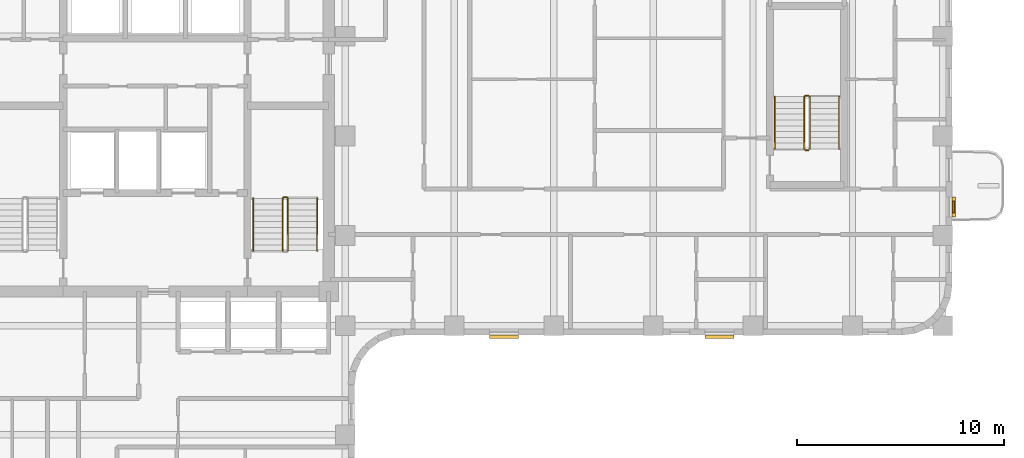
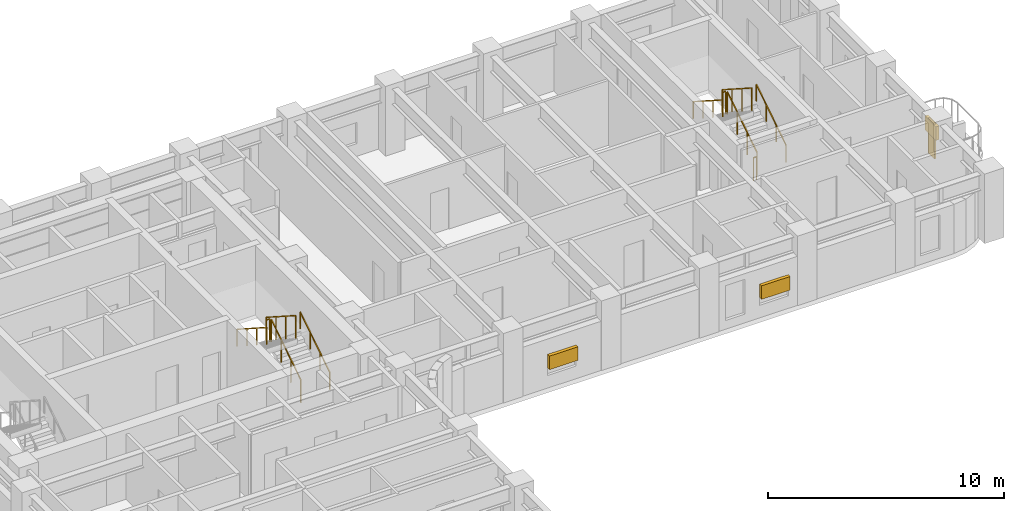
# One storey, part 9 of 10: 11 railings, 4 shading devices.
"""IFC4 building model written with IfcOpenShell, lengths in metres."""

from ifc_helpers import new_model, si_unit, direction, frame, origin, origin_2d, place, context, subcontext, project, spatial, rectangle, extrude, material, type_object, element, save


model = new_model("IFC4")

# Units and contexts
model_context = context("Model", 3, precision=1e-05, world=origin(), true_north=direction((0.0, 1.0)))
body_context = subcontext(model_context, "Body", "Model", "MODEL_VIEW")
ifc_project = project(units=[si_unit("LENGTHUNIT", "METRE"), si_unit("AREAUNIT", "SQUARE_METRE"), si_unit("VOLUMEUNIT", "CUBIC_METRE"), si_unit("PLANEANGLEUNIT", "RADIAN"), si_unit("MASSUNIT", "GRAM", prefix="KILO")], contexts=[model_context])

# Site, building, storey
site_placement = place(None, origin())
site = spatial("IfcSite", under=ifc_project, at=site_placement, CompositionType="ELEMENT")
building_placement = place(site_placement, origin())
building = spatial("IfcBuilding", under=site, at=building_placement, Name="Orvandelia Arch Residences", CompositionType="ELEMENT")
storey_placement = place(building_placement, frame((0.0, 0.0, 121.60009765625)))
storey = spatial("IfcBuildingStorey", under=building, at=storey_placement, Name="L31", CompositionType="ELEMENT", Elevation=121.60009765625)

# Railings
ifc_material_1 = material(Name="Brushed Stainless Steel 304", Category="steel")
railing_type_1 = type_object("IfcRailingType", Name="RL-STAIR-GD1120", PredefinedType="GUARDRAIL", material=ifc_material_1)
railing_1_placement = place(storey_placement, frame((20.780029296875, 32.8701171875, 0.179931640625)))
element("IfcRailing", 1, at=railing_1_placement, inside=storey, type_object=railing_type_1, Name="L31 ST-2 stair guard 1", PredefinedType="GUARDRAIL", context=body_context, shape_type="SweptSolid", body=[
    extrude(rectangle(XDim=0.048095703125, YDim=0.048095703125, at=origin_2d()), frame((0.0, 0.0, 1.17578125), z_axis=(0.0, 0.841175827307, 0.540761710511), x_axis=(-1.0, 0.0, 0.0)), (0.0, 0.0, 1.0), 2.99560546875),
    extrude(rectangle(XDim=0.0419921875, YDim=0.0419921875, at=origin_2d()), origin(), (0.0, 0.0, 1.0), 1.15185546875),
    extrude(rectangle(XDim=0.0419921875, YDim=0.0419921875, at=origin_2d()), frame((0.0, 0.83984375, 0.5400390625)), (0.0, 0.0, 1.0), 1.15185546875),
    extrude(rectangle(XDim=0.0419921875, YDim=0.0419921875, at=origin_2d()), frame((0.0, 1.679931640625, 1.079833984375)), (0.0, 0.0, 1.0), 1.15185546875),
    extrude(rectangle(XDim=0.0419921875, YDim=0.0419921875, at=origin_2d()), frame((0.0, 2.519775390625, 1.619873046875)), (0.0, 0.0, 1.0), 1.15185546875),
])
railing_2_placement = place(storey_placement, frame((20.72998046875, 35.43994140625, 1.7998046875)))
element("IfcRailing", 2, at=railing_2_placement, inside=storey, type_object=railing_type_1, Name="L31 ST-2 stair guard 2", PredefinedType="GUARDRAIL", context=body_context, shape_type="SweptSolid", body=[
    extrude(rectangle(XDim=0.048095703125, YDim=0.048095703125, at=origin_2d()), frame((0.0, 0.0, 1.17578125), z_axis=(-1.0, 0.0, 0.0), x_axis=(0.0, -1.0, 0.0)), (0.0, 0.0, 1.0), 0.14990234375),
    extrude(rectangle(XDim=0.0419921875, YDim=0.0419921875, at=origin_2d()), origin(), (0.0, 0.0, 1.0), 1.15185546875),
    extrude(rectangle(XDim=0.0419921875, YDim=0.0419921875, at=origin_2d()), frame((-0.14990234375, 0.0, 0.0)), (0.0, 0.0, 1.0), 1.15185546875),
])
railing_3_placement = place(storey_placement, frame((20.530029296875, 35.389892578125, 1.97998046875)))
element("IfcRailing", 3, at=railing_3_placement, inside=storey, type_object=railing_type_1, Name="L31 ST-2 stair guard 3", PredefinedType="GUARDRAIL", context=body_context, shape_type="SweptSolid", body=[
    extrude(rectangle(XDim=0.048095703125, YDim=0.048095703125, at=origin_2d()), frame((0.0, 0.0, 1.17578125), z_axis=(0.0, -0.841175827307, 0.540761710511), x_axis=(1.0, 0.0, 0.0)), (0.0, 0.0, 1.0), 2.99560546875),
    extrude(rectangle(XDim=0.0419921875, YDim=0.0419921875, at=origin_2d()), origin(), (0.0, 0.0, 1.0), 1.15185546875),
    extrude(rectangle(XDim=0.0419921875, YDim=0.0419921875, at=origin_2d()), frame((0.0, -0.83984375, 0.5400390625)), (0.0, 0.0, 1.0), 1.15185546875),
    extrude(rectangle(XDim=0.0419921875, YDim=0.0419921875, at=origin_2d()), frame((0.0, -1.679931640625, 1.079833984375)), (0.0, 0.0, 1.0), 1.15185546875),
    extrude(rectangle(XDim=0.0419921875, YDim=0.0419921875, at=origin_2d()), frame((0.0, -2.519775390625, 1.619873046875)), (0.0, 0.0, 1.0), 1.15185546875),
])
railing_4_placement = place(storey_placement, frame((45.929931640625, 37.77001953125, 0.179931640625)))
element("IfcRailing", 4, at=railing_4_placement, inside=storey, type_object=railing_type_1, Name="L31 ST-3 stair guard 1", PredefinedType="GUARDRAIL", context=body_context, shape_type="SweptSolid", body=[
    extrude(rectangle(XDim=0.048095703125, YDim=0.048095703125, at=origin_2d()), frame((0.0, 0.0, 1.17578125), z_axis=(0.0, 0.841199657755, 0.540724639528), x_axis=(-1.0, 0.0, 0.0)), (0.0, 0.0, 1.0), 2.995849609375),
    extrude(rectangle(XDim=0.0419921875, YDim=0.0419921875, at=origin_2d()), origin(), (0.0, 0.0, 1.0), 1.15185546875),
    extrude(rectangle(XDim=0.0419921875, YDim=0.0419921875, at=origin_2d()), frame((0.0, 0.840087890625, 0.5400390625)), (0.0, 0.0, 1.0), 1.15185546875),
    extrude(rectangle(XDim=0.0419921875, YDim=0.0419921875, at=origin_2d()), frame((0.0, 1.679931640625, 1.079833984375)), (0.0, 0.0, 1.0), 1.15185546875),
    extrude(rectangle(XDim=0.0419921875, YDim=0.0419921875, at=origin_2d()), frame((0.0, 2.52001953125, 1.619873046875)), (0.0, 0.0, 1.0), 1.15185546875),
])
railing_5_placement = place(storey_placement, frame((45.8798828125, 40.340087890625, 1.7998046875)))
element("IfcRailing", 5, at=railing_5_placement, inside=storey, type_object=railing_type_1, Name="L31 ST-3 stair guard 2", PredefinedType="GUARDRAIL", context=body_context, shape_type="SweptSolid", body=[
    extrude(rectangle(XDim=0.048095703125, YDim=0.048095703125, at=origin_2d()), frame((0.0, 0.0, 1.17578125), z_axis=(-1.0, 0.0, 0.0), x_axis=(0.0, -1.0, 0.0)), (0.0, 0.0, 1.0), 0.14990234375),
    extrude(rectangle(XDim=0.0419921875, YDim=0.0419921875, at=origin_2d()), origin(), (0.0, 0.0, 1.0), 1.15185546875),
    extrude(rectangle(XDim=0.0419921875, YDim=0.0419921875, at=origin_2d()), frame((-0.14990234375, 0.0, 0.0)), (0.0, 0.0, 1.0), 1.15185546875),
])
railing_6_placement = place(storey_placement, frame((45.679931640625, 40.2900390625, 1.97998046875)))
element("IfcRailing", 6, at=railing_6_placement, inside=storey, type_object=railing_type_1, Name="L31 ST-3 stair guard 3", PredefinedType="GUARDRAIL", context=body_context, shape_type="SweptSolid", body=[
    extrude(rectangle(XDim=0.048095703125, YDim=0.048095703125, at=origin_2d()), frame((0.0, 0.0, 1.17578125), z_axis=(0.0, -0.841199657755, 0.540724639528), x_axis=(1.0, 0.0, 0.0)), (0.0, 0.0, 1.0), 2.995849609375),
    extrude(rectangle(XDim=0.0419921875, YDim=0.0419921875, at=origin_2d()), origin(), (0.0, 0.0, 1.0), 1.15185546875),
    extrude(rectangle(XDim=0.0419921875, YDim=0.0419921875, at=origin_2d()), frame((0.0, -0.840087890625, 0.5400390625)), (0.0, 0.0, 1.0), 1.15185546875),
    extrude(rectangle(XDim=0.0419921875, YDim=0.0419921875, at=origin_2d()), frame((0.0, -1.679931640625, 1.079833984375)), (0.0, 0.0, 1.0), 1.15185546875),
    extrude(rectangle(XDim=0.0419921875, YDim=0.0419921875, at=origin_2d()), frame((0.0, -2.52001953125, 1.619873046875)), (0.0, 0.0, 1.0), 1.15185546875),
])
railing_7_placement = place(storey_placement, frame((45.8798828125, 37.719970703125, 0.0)))
element("IfcRailing", 7, at=railing_7_placement, inside=storey, type_object=railing_type_1, Name="L31 ST-3 stair guard 4", PredefinedType="GUARDRAIL", context=body_context, shape_type="SweptSolid", body=[
    extrude(rectangle(XDim=0.048095703125, YDim=0.048095703125, at=origin_2d()), frame((0.0, 0.0, 1.17578125), z_axis=(-1.0, 0.0, 0.0), x_axis=(0.0, -1.0, 0.0)), (0.0, 0.0, 1.0), 0.14990234375),
    extrude(rectangle(XDim=0.0419921875, YDim=0.0419921875, at=origin_2d()), origin(), (0.0, 0.0, 1.0), 1.15185546875),
    extrude(rectangle(XDim=0.0419921875, YDim=0.0419921875, at=origin_2d()), frame((-0.14990234375, 0.0, 0.0)), (0.0, 0.0, 1.0), 1.15185546875),
])
railing_type_2 = type_object("IfcRailingType", Name="RL-STAIR-HR920", PredefinedType="HANDRAIL", material=ifc_material_1)
railing_8_placement = place(storey_placement, frame((22.199951171875, 32.8701171875, 0.35986328125)))
element("IfcRailing", 8, at=railing_8_placement, inside=storey, type_object=railing_type_2, Name="L31 ST-2 stair handrail 1", PredefinedType="HANDRAIL", context=body_context, shape_type="SweptSolid", body=[
    extrude(rectangle(XDim=0.048095703125, YDim=0.048095703125, at=origin_2d()), frame((0.0, 0.0, 0.8759765625), z_axis=(0.0, 0.841138753965, 0.540819375188), x_axis=(-1.0, 0.0, 0.0)), (0.0, 0.0, 1.0), 2.99560546875),
    extrude(rectangle(XDim=0.0419921875, YDim=0.0419921875, at=origin_2d()), origin(), (0.0, 0.0, 1.0), 0.851806640625),
    extrude(rectangle(XDim=0.0419921875, YDim=0.0419921875, at=origin_2d()), frame((0.0, 0.83984375, 0.5400390625)), (0.0, 0.0, 1.0), 0.851806640625),
    extrude(rectangle(XDim=0.0419921875, YDim=0.0419921875, at=origin_2d()), frame((0.0, 1.679931640625, 1.080078125)), (0.0, 0.0, 1.0), 0.851806640625),
    extrude(rectangle(XDim=0.0419921875, YDim=0.0419921875, at=origin_2d()), frame((0.0, 2.519775390625, 1.6201171875)), (0.0, 0.0, 1.0), 0.851806640625),
])
railing_9_placement = place(storey_placement, frame((19.110107421875, 35.389892578125, 2.159912109375)))
element("IfcRailing", 9, at=railing_9_placement, inside=storey, type_object=railing_type_2, Name="L31 ST-2 stair handrail 2", PredefinedType="HANDRAIL", context=body_context, shape_type="SweptSolid", body=[
    extrude(rectangle(XDim=0.048095703125, YDim=0.048095703125, at=origin_2d()), frame((0.0, 0.0, 0.8759765625), z_axis=(0.0, -0.841175827307, 0.540761710511), x_axis=(1.0, 0.0, 0.0)), (0.0, 0.0, 1.0), 2.99560546875),
    extrude(rectangle(XDim=0.0419921875, YDim=0.0419921875, at=origin_2d()), origin(), (0.0, 0.0, 1.0), 0.851806640625),
    extrude(rectangle(XDim=0.0419921875, YDim=0.0419921875, at=origin_2d()), frame((0.0, -0.83984375, 0.5400390625)), (0.0, 0.0, 1.0), 0.851806640625),
    extrude(rectangle(XDim=0.0419921875, YDim=0.0419921875, at=origin_2d()), frame((0.0, -1.679931640625, 1.079833984375)), (0.0, 0.0, 1.0), 0.851806640625),
    extrude(rectangle(XDim=0.0419921875, YDim=0.0419921875, at=origin_2d()), frame((0.0, -2.519775390625, 1.619873046875)), (0.0, 0.0, 1.0), 0.851806640625),
])
railing_10_placement = place(storey_placement, frame((47.35009765625, 37.77001953125, 0.35986328125)))
element("IfcRailing", 10, at=railing_10_placement, inside=storey, type_object=railing_type_2, Name="L31 ST-3 stair handrail 1", PredefinedType="HANDRAIL", context=body_context, shape_type="SweptSolid", body=[
    extrude(rectangle(XDim=0.048095703125, YDim=0.048095703125, at=origin_2d()), frame((0.0, 0.0, 0.8759765625), z_axis=(0.0, 0.841162588446, 0.540782303519), x_axis=(-1.0, 0.0, 0.0)), (0.0, 0.0, 1.0), 2.995849609375),
    extrude(rectangle(XDim=0.0419921875, YDim=0.0419921875, at=origin_2d()), origin(), (0.0, 0.0, 1.0), 0.851806640625),
    extrude(rectangle(XDim=0.0419921875, YDim=0.0419921875, at=origin_2d()), frame((0.0, 0.840087890625, 0.5400390625)), (0.0, 0.0, 1.0), 0.851806640625),
    extrude(rectangle(XDim=0.0419921875, YDim=0.0419921875, at=origin_2d()), frame((0.0, 1.679931640625, 1.080078125)), (0.0, 0.0, 1.0), 0.851806640625),
    extrude(rectangle(XDim=0.0419921875, YDim=0.0419921875, at=origin_2d()), frame((0.0, 2.52001953125, 1.6201171875)), (0.0, 0.0, 1.0), 0.851806640625),
])
railing_11_placement = place(storey_placement, frame((44.260009765625, 40.2900390625, 2.159912109375)))
element("IfcRailing", 11, at=railing_11_placement, inside=storey, type_object=railing_type_2, Name="L31 ST-3 stair handrail 2", PredefinedType="HANDRAIL", context=body_context, shape_type="SweptSolid", body=[
    extrude(rectangle(XDim=0.048095703125, YDim=0.048095703125, at=origin_2d()), frame((0.0, 0.0, 0.8759765625), z_axis=(0.0, -0.841199657755, 0.540724639528), x_axis=(1.0, 0.0, 0.0)), (0.0, 0.0, 1.0), 2.995849609375),
    extrude(rectangle(XDim=0.0419921875, YDim=0.0419921875, at=origin_2d()), origin(), (0.0, 0.0, 1.0), 0.851806640625),
    extrude(rectangle(XDim=0.0419921875, YDim=0.0419921875, at=origin_2d()), frame((0.0, -0.840087890625, 0.5400390625)), (0.0, 0.0, 1.0), 0.851806640625),
    extrude(rectangle(XDim=0.0419921875, YDim=0.0419921875, at=origin_2d()), frame((0.0, -1.679931640625, 1.079833984375)), (0.0, 0.0, 1.0), 0.851806640625),
    extrude(rectangle(XDim=0.0419921875, YDim=0.0419921875, at=origin_2d()), frame((0.0, -2.52001953125, 1.619873046875)), (0.0, 0.0, 1.0), 0.851806640625),
])

# Shading devices
ifc_material_2 = material(Name="Anodised Champagne-Bronze Extruded Aluminium", Category="aluminium")
shading_device_type_1 = type_object("IfcShadingDeviceType", Name="SHD-JALOUSIE-SCREEN", PredefinedType="JALOUSIE", material=ifc_material_2)
shading_device_1_placement = place(storey_placement, frame((52.8798828125, 34.972412109375, 1.5498046875), z_axis=(0.0, 0.0, 1.0), x_axis=(0.0, -1.0, 0.0)))
element("IfcShadingDevice", 12, at=shading_device_1_placement, inside=storey, type_object=shading_device_type_1, Name="Bronze Jalousie Sun-Shade L31-003", PredefinedType="JALOUSIE", context=body_context, shape_type="SweptSolid", body=[
    extrude(rectangle(XDim=0.949951171875, YDim=0.159912109375, at=origin_2d()), origin(), (0.0, 0.0, 1.0), 0.699951171875),
])
for number, where, z_axis, x_axis, name in (
    (13, (31.199951171875, 28.719970703125, 1.0498046875), (0.0, 0.0, 1.0), (-1.0, 0.0, 0.0), "Bronze Jalousie Sun-Shade L31-004"),
    (14, (41.58349609375, 28.719970703125, 1.0498046875), (0.0, 0.0, 1.0), (-1.0, 0.0, 0.0), "Bronze Jalousie Sun-Shade L31-005"),
):
    element("IfcShadingDevice", number, at=place(storey_placement, frame(where, z_axis=z_axis, x_axis=x_axis)), inside=storey, type_object=shading_device_type_1, Name=name, PredefinedType="JALOUSIE", context=body_context, shape_type="SweptSolid", body=[
        extrude(rectangle(XDim=1.39990234375, YDim=0.159912109375, at=origin_2d()), origin(), (0.0, 0.0, 1.0), 0.699951171875),
    ])
ifc_material_3 = material(Name="Marine-Grade Perforated Aluminium Storm Shutter", Category="aluminium")
shading_device_type_2 = type_object("IfcShadingDeviceType", Name="SHD-STORM-SHUTTER", PredefinedType="SHUTTER", material=ifc_material_3)
shading_device_2_placement = place(storey_placement, frame((52.8798828125, 34.972412109375, 0.44970703125), z_axis=(0.0, 0.0, 1.0), x_axis=(0.0, -1.0, 0.0)))
element("IfcShadingDevice", 15, at=shading_device_2_placement, inside=storey, type_object=shading_device_type_2, Name="Operable Typhoon Storm Shutter L31-003", PredefinedType="SHUTTER", context=body_context, shape_type="SweptSolid", body=[
    extrude(rectangle(XDim=0.550048828125, YDim=0.080078125, at=origin_2d()), origin(), (0.0, 0.0, 1.0), 1.800048828125),
])

save(model, "model.ifc")
